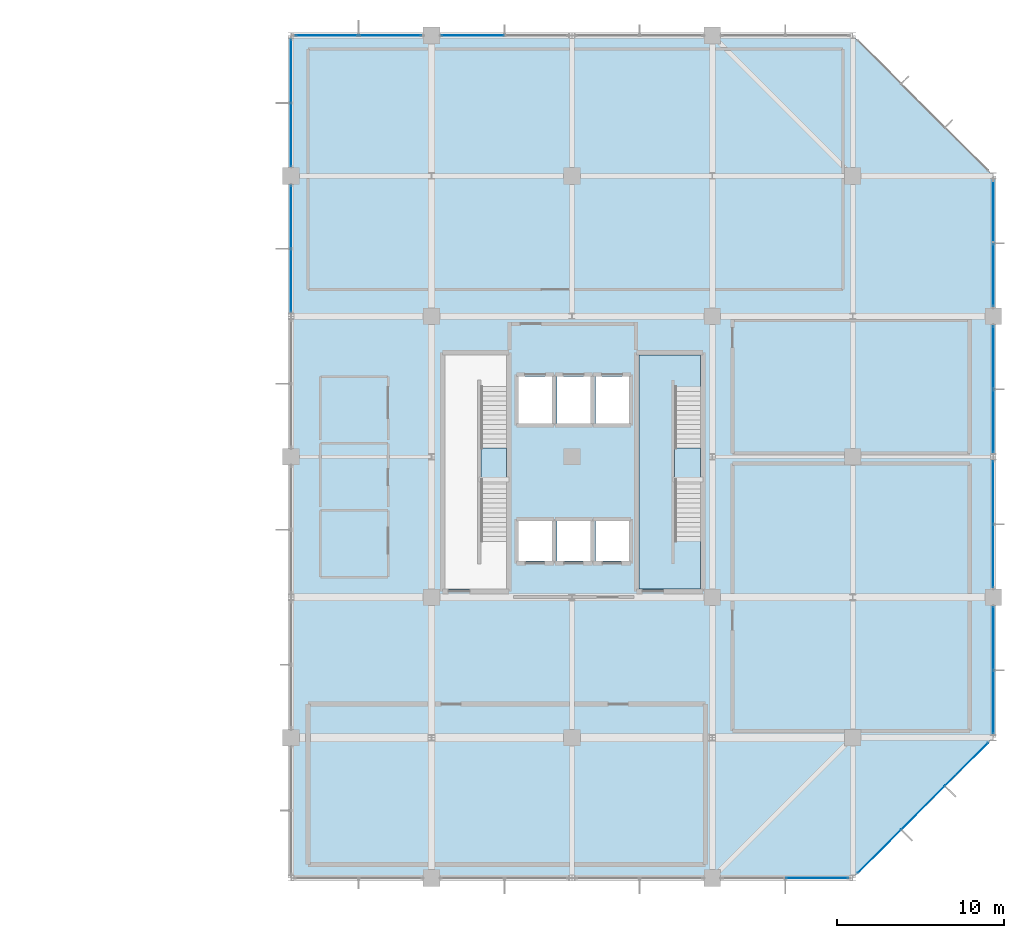
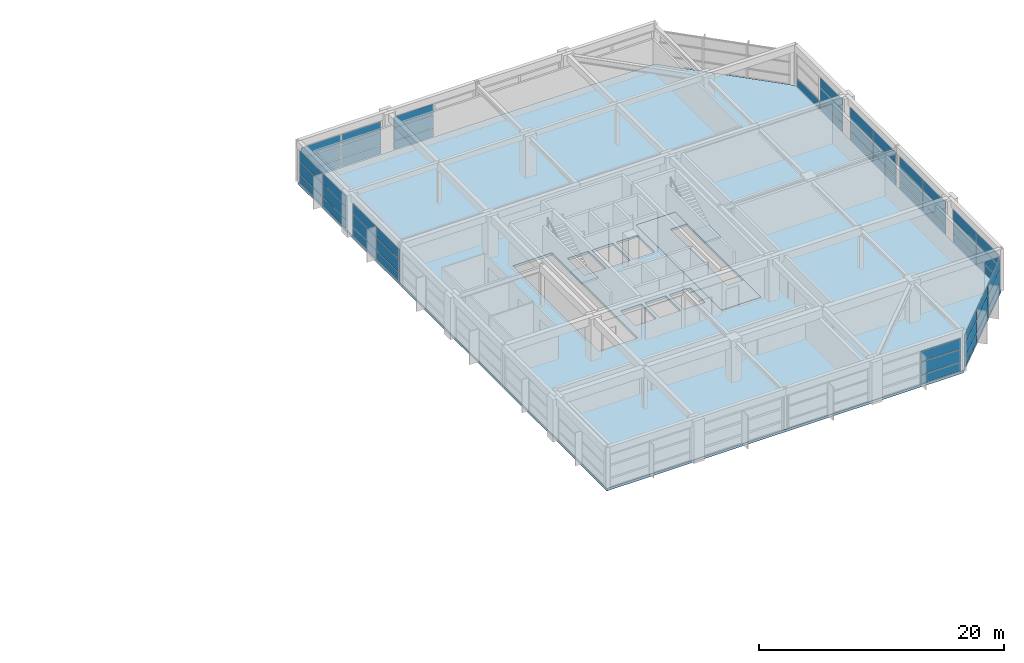
# One storey, part 27 of 32: 55 plates, 4 slabs, 12 elements without a shape of their own.
"""IFC4 building model written with IfcOpenShell, lengths in metres."""

from ifc_helpers import new_model, si_unit, direction, frame, origin, origin_2d, place, context, subcontext, project, spatial, polyline, rectangle, outline, extrude, material, layer, layer_set, type_object, element, aggregate, save


model = new_model("IFC4")

# Units and contexts
model_context = context("Model", 3, precision=1e-05, world=origin(), true_north=direction((0.0, 1.0)))
body_context = subcontext(model_context, "Body", "Model", "MODEL_VIEW")
ifc_project = project(units=[si_unit("LENGTHUNIT", "METRE"), si_unit("AREAUNIT", "SQUARE_METRE"), si_unit("VOLUMEUNIT", "CUBIC_METRE"), si_unit("PLANEANGLEUNIT", "RADIAN"), si_unit("MASSUNIT", "GRAM", prefix="KILO")], contexts=[model_context])

# Site, building, storey
site_placement = place(None, origin())
site = spatial("IfcSite", under=ifc_project, at=site_placement, CompositionType="ELEMENT")
building_placement = place(site_placement, origin())
building = spatial("IfcBuilding", under=site, at=building_placement, Name="Xuanlan Plaza Opera House", CompositionType="ELEMENT")
storey_placement = place(building_placement, frame((0.0, 0.0, 40.5)))
storey = spatial("IfcBuildingStorey", under=building, at=storey_placement, Name="L09", CompositionType="ELEMENT", Elevation=40.5)

# Curtain wall, plates
ifc_material_1 = material(Name="Anodised Aluminium 6063-T6 and Low-E Glass", Category="aluminium")
curtain_wall_type_1 = type_object("IfcCurtainWallType", Name="ENV-CW-CW-04", PredefinedType="USERDEFINED", material=ifc_material_1)
curtain_wall_1_placement = place(storey_placement, origin())
curtain_wall_1 = element("IfcCurtainWall", 1, at=curtain_wall_1_placement, inside=storey, type_object=curtain_wall_type_1, Name="Unitised Curtain Wall L09-005", ObjectType="UNITISED CURTAIN WALL", PredefinedType="USERDEFINED")
ifc_material_2 = material(Name="Laminated Acoustic Double Glazing", Category="glass")
ifc_layer_1 = layer(ifc_material_2, 0.028076171875)
ifc_layer_set_1 = layer_set([ifc_layer_1], Name="Laminated Acoustic Double Glazing")
plate_type_1 = type_object("IfcPlateType", Name="ENV-CWP-01", PredefinedType="CURTAIN_PANEL", material=ifc_layer_set_1)
plate_1_placement = place(storey_placement, frame((161.194091796875, 35.194091796875, 0.06494140625), z_axis=(0.0, 0.0, 1.0), x_axis=(0.707106781187, 0.707106781187, 0.0)))
plate_1 = element("IfcPlate", 2, at=plate_1_placement, type_object=plate_type_1, Name="CW-04 panel 1.1", PredefinedType="CURTAIN_PANEL", context=body_context, shape_type="SweptSolid", body=[
    extrude(rectangle(XDim=3.60400390625, YDim=0.028076171875, at=origin_2d()), origin(), (0.0, 0.0, 1.0), 0.8525390625),
])
plate_2_placement = place(storey_placement, frame((161.194091796875, 35.194091796875, 0.982421875), z_axis=(0.0, 0.0, 1.0), x_axis=(0.707106781187, 0.707106781187, 0.0)))
plate_2 = element("IfcPlate", 3, at=plate_2_placement, type_object=plate_type_1, Name="CW-04 panel 1.2", PredefinedType="CURTAIN_PANEL", context=body_context, shape_type="SweptSolid", body=[
    extrude(rectangle(XDim=3.60400390625, YDim=0.028076171875, at=origin_2d()), origin(), (0.0, 0.0, 1.0), 1.235107421875),
])
plate_3_placement = place(storey_placement, frame((161.194091796875, 35.194091796875, 2.28271484375), z_axis=(0.0, 0.0, 1.0), x_axis=(0.707106781187, 0.707106781187, 0.0)))
plate_3 = element("IfcPlate", 4, at=plate_3_placement, type_object=plate_type_1, Name="CW-04 panel 1.3", PredefinedType="CURTAIN_PANEL", context=body_context, shape_type="SweptSolid", body=[
    extrude(rectangle(XDim=3.60400390625, YDim=0.028076171875, at=origin_2d()), origin(), (0.0, 0.0, 1.0), 1.032470703125),
])
plate_4_placement = place(storey_placement, frame((163.800048828125, 37.800048828125, 0.06494140625), z_axis=(0.0, 0.0, 1.0), x_axis=(0.707106781187, 0.707106781187, 0.0)))
plate_4 = element("IfcPlate", 5, at=plate_4_placement, type_object=plate_type_1, Name="CW-04 panel 2.1", PredefinedType="CURTAIN_PANEL", context=body_context, shape_type="SweptSolid", body=[
    extrude(rectangle(XDim=3.636474609375, YDim=0.028076171875, at=origin_2d()), origin(), (0.0, 0.0, 1.0), 0.8525390625),
])
plate_5_placement = place(storey_placement, frame((163.800048828125, 37.800048828125, 0.982421875), z_axis=(0.0, 0.0, 1.0), x_axis=(0.707106781187, 0.707106781187, 0.0)))
plate_5 = element("IfcPlate", 6, at=plate_5_placement, type_object=plate_type_1, Name="CW-04 panel 2.2", PredefinedType="CURTAIN_PANEL", context=body_context, shape_type="SweptSolid", body=[
    extrude(rectangle(XDim=3.636474609375, YDim=0.028076171875, at=origin_2d()), origin(), (0.0, 0.0, 1.0), 1.235107421875),
])
plate_6_placement = place(storey_placement, frame((163.800048828125, 37.800048828125, 2.28271484375), z_axis=(0.0, 0.0, 1.0), x_axis=(0.707106781187, 0.707106781187, 0.0)))
plate_6 = element("IfcPlate", 7, at=plate_6_placement, type_object=plate_type_1, Name="CW-04 panel 2.3", PredefinedType="CURTAIN_PANEL", context=body_context, shape_type="SweptSolid", body=[
    extrude(rectangle(XDim=3.636474609375, YDim=0.028076171875, at=origin_2d()), origin(), (0.0, 0.0, 1.0), 1.032470703125),
])
plate_7_placement = place(storey_placement, frame((166.40576171875, 40.40576171875, 0.06494140625), z_axis=(0.0, 0.0, 1.0), x_axis=(0.707106781187, 0.707106781187, 0.0)))
plate_7 = element("IfcPlate", 8, at=plate_7_placement, type_object=plate_type_1, Name="CW-04 panel 3.1", PredefinedType="CURTAIN_PANEL", context=body_context, shape_type="SweptSolid", body=[
    extrude(rectangle(XDim=3.60400390625, YDim=0.028076171875, at=origin_2d()), origin(), (0.0, 0.0, 1.0), 0.8525390625),
])
plate_8_placement = place(storey_placement, frame((166.40576171875, 40.40576171875, 0.982421875), z_axis=(0.0, 0.0, 1.0), x_axis=(0.707106781187, 0.707106781187, 0.0)))
plate_8 = element("IfcPlate", 9, at=plate_8_placement, type_object=plate_type_1, Name="CW-04 panel 3.2", PredefinedType="CURTAIN_PANEL", context=body_context, shape_type="SweptSolid", body=[
    extrude(rectangle(XDim=3.60400390625, YDim=0.028076171875, at=origin_2d()), origin(), (0.0, 0.0, 1.0), 1.235107421875),
])
plate_9_placement = place(storey_placement, frame((166.40576171875, 40.40576171875, 2.28271484375), z_axis=(0.0, 0.0, 1.0), x_axis=(0.707106781187, 0.707106781187, 0.0)))
plate_9 = element("IfcPlate", 10, at=plate_9_placement, type_object=plate_type_1, Name="CW-04 panel 3.3", PredefinedType="CURTAIN_PANEL", context=body_context, shape_type="SweptSolid", body=[
    extrude(rectangle(XDim=3.60400390625, YDim=0.028076171875, at=origin_2d()), origin(), (0.0, 0.0, 1.0), 1.032470703125),
])
aggregate(curtain_wall_1, [plate_1, plate_2, plate_3, plate_4, plate_5, plate_6, plate_7, plate_8, plate_9])

curtain_wall_type_2 = type_object("IfcCurtainWallType", Name="ENV-CW-CW-02", PredefinedType="USERDEFINED", material=ifc_material_1)
curtain_wall_2_placement = place(storey_placement, origin())
curtain_wall_2 = element("IfcCurtainWall", 11, at=curtain_wall_2_placement, inside=storey, type_object=curtain_wall_type_2, Name="Unitised Curtain Wall L09-015", ObjectType="UNITISED CURTAIN WALL", PredefinedType="USERDEFINED")
plate_10_placement = place(storey_placement, frame((126.0, 81.867431640625, 0.06494140625), z_axis=(0.0, 0.0, 1.0), x_axis=(0.0, -1.0, 0.0)))
plate_10 = element("IfcPlate", 12, at=plate_10_placement, type_object=plate_type_1, Name="CW-02 panel 1.1", PredefinedType="CURTAIN_PANEL", context=body_context, shape_type="SweptSolid", body=[
    extrude(rectangle(XDim=3.7451171875, YDim=0.028076171875, at=origin_2d()), origin(), (0.0, 0.0, 1.0), 0.8525390625),
])
plate_11_placement = place(storey_placement, frame((126.0, 81.867431640625, 0.982421875), z_axis=(0.0, 0.0, 1.0), x_axis=(0.0, -1.0, 0.0)))
plate_11 = element("IfcPlate", 13, at=plate_11_placement, type_object=plate_type_1, Name="CW-02 panel 1.2", PredefinedType="CURTAIN_PANEL", context=body_context, shape_type="SweptSolid", body=[
    extrude(rectangle(XDim=3.7451171875, YDim=0.028076171875, at=origin_2d()), origin(), (0.0, 0.0, 1.0), 1.235107421875),
])
plate_12_placement = place(storey_placement, frame((126.0, 81.867431640625, 2.28271484375), z_axis=(0.0, 0.0, 1.0), x_axis=(0.0, -1.0, 0.0)))
plate_12 = element("IfcPlate", 14, at=plate_12_placement, type_object=plate_type_1, Name="CW-02 panel 1.3", PredefinedType="CURTAIN_PANEL", context=body_context, shape_type="SweptSolid", body=[
    extrude(rectangle(XDim=3.7451171875, YDim=0.028076171875, at=origin_2d()), origin(), (0.0, 0.0, 1.0), 1.032470703125),
])
plate_13_placement = place(storey_placement, frame((126.0, 78.0576171875, 0.06494140625), z_axis=(0.0, 0.0, 1.0), x_axis=(0.0, -1.0, 0.0)))
plate_13 = element("IfcPlate", 15, at=plate_13_placement, type_object=plate_type_1, Name="CW-02 panel 2.1", PredefinedType="CURTAIN_PANEL", context=body_context, shape_type="SweptSolid", body=[
    extrude(rectangle(XDim=3.7451171875, YDim=0.028076171875, at=origin_2d()), origin(), (0.0, 0.0, 1.0), 0.8525390625),
])
plate_14_placement = place(storey_placement, frame((126.0, 78.0576171875, 0.982421875), z_axis=(0.0, 0.0, 1.0), x_axis=(0.0, -1.0, 0.0)))
plate_14 = element("IfcPlate", 16, at=plate_14_placement, type_object=plate_type_1, Name="CW-02 panel 2.2", PredefinedType="CURTAIN_PANEL", context=body_context, shape_type="SweptSolid", body=[
    extrude(rectangle(XDim=3.7451171875, YDim=0.028076171875, at=origin_2d()), origin(), (0.0, 0.0, 1.0), 1.235107421875),
])
plate_15_placement = place(storey_placement, frame((126.0, 78.0576171875, 2.28271484375), z_axis=(0.0, 0.0, 1.0), x_axis=(0.0, -1.0, 0.0)))
plate_15 = element("IfcPlate", 17, at=plate_15_placement, type_object=plate_type_1, Name="CW-02 panel 2.3", PredefinedType="CURTAIN_PANEL", context=body_context, shape_type="SweptSolid", body=[
    extrude(rectangle(XDim=3.7451171875, YDim=0.028076171875, at=origin_2d()), origin(), (0.0, 0.0, 1.0), 1.032470703125),
])
aggregate(curtain_wall_2, [plate_10, plate_11, plate_12, plate_13, plate_14, plate_15])

curtain_wall_3_placement = place(storey_placement, origin())
curtain_wall_3 = element("IfcCurtainWall", 18, at=curtain_wall_3_placement, inside=storey, type_object=curtain_wall_type_2, Name="Unitised Curtain Wall L09-007", ObjectType="UNITISED CURTAIN WALL", PredefinedType="USERDEFINED")
ifc_layer_2 = layer(ifc_material_2, 0.031982421875)
ifc_layer_set_2 = layer_set([ifc_layer_2], Name="Laminated Acoustic Double Glazing")
plate_type_2 = type_object("IfcPlateType", Name="ENV-CWP-02", PredefinedType="CURTAIN_PANEL", material=ifc_layer_set_2)
plate_16_placement = place(storey_placement, frame((168.0, 52.860107421875, 0.090087890625), z_axis=(0.0, 0.0, 1.0), x_axis=(0.0, 1.0, 0.0)))
plate_16 = element("IfcPlate", 19, at=plate_16_placement, type_object=plate_type_2, Name="CW-02 panel 1.1", PredefinedType="CURTAIN_PANEL", context=body_context, shape_type="SweptSolid", body=[
    extrude(rectangle(XDim=3.72998046875, YDim=0.031982421875, at=origin_2d()), origin(), (0.0, 0.0, 1.0), 0.81494140625),
])
plate_17_placement = place(storey_placement, frame((168.0, 52.860107421875, 0.9951171875), z_axis=(0.0, 0.0, 1.0), x_axis=(0.0, 1.0, 0.0)))
plate_17 = element("IfcPlate", 20, at=plate_17_placement, type_object=plate_type_2, Name="CW-02 panel 1.2", PredefinedType="CURTAIN_PANEL", context=body_context, shape_type="SweptSolid", body=[
    extrude(rectangle(XDim=3.72998046875, YDim=0.031982421875, at=origin_2d()), origin(), (0.0, 0.0, 1.0), 1.2099609375),
])
plate_18_placement = place(storey_placement, frame((168.0, 52.860107421875, 2.294921875), z_axis=(0.0, 0.0, 1.0), x_axis=(0.0, 1.0, 0.0)))
plate_18 = element("IfcPlate", 21, at=plate_18_placement, type_object=plate_type_2, Name="CW-02 panel 1.3", PredefinedType="CURTAIN_PANEL", context=body_context, shape_type="SweptSolid", body=[
    extrude(rectangle(XDim=3.72998046875, YDim=0.031982421875, at=origin_2d()), origin(), (0.0, 0.0, 1.0), 0.9951171875),
])
plate_19_placement = place(storey_placement, frame((168.0, 56.6650390625, 0.090087890625), z_axis=(0.0, 0.0, 1.0), x_axis=(0.0, 1.0, 0.0)))
plate_19 = element("IfcPlate", 22, at=plate_19_placement, type_object=plate_type_2, Name="CW-02 panel 2.1", PredefinedType="CURTAIN_PANEL", context=body_context, shape_type="SweptSolid", body=[
    extrude(rectangle(XDim=3.72998046875, YDim=0.031982421875, at=origin_2d()), origin(), (0.0, 0.0, 1.0), 0.81494140625),
])
plate_20_placement = place(storey_placement, frame((168.0, 56.6650390625, 0.9951171875), z_axis=(0.0, 0.0, 1.0), x_axis=(0.0, 1.0, 0.0)))
plate_20 = element("IfcPlate", 23, at=plate_20_placement, type_object=plate_type_2, Name="CW-02 panel 2.2", PredefinedType="CURTAIN_PANEL", context=body_context, shape_type="SweptSolid", body=[
    extrude(rectangle(XDim=3.72998046875, YDim=0.031982421875, at=origin_2d()), origin(), (0.0, 0.0, 1.0), 1.2099609375),
])
plate_21_placement = place(storey_placement, frame((168.0, 56.6650390625, 2.294921875), z_axis=(0.0, 0.0, 1.0), x_axis=(0.0, 1.0, 0.0)))
plate_21 = element("IfcPlate", 24, at=plate_21_placement, type_object=plate_type_2, Name="CW-02 panel 2.3", PredefinedType="CURTAIN_PANEL", context=body_context, shape_type="SweptSolid", body=[
    extrude(rectangle(XDim=3.72998046875, YDim=0.031982421875, at=origin_2d()), origin(), (0.0, 0.0, 1.0), 0.9951171875),
])
aggregate(curtain_wall_3, [plate_16, plate_17, plate_18, plate_19, plate_20, plate_21])

curtain_wall_type_3 = type_object("IfcCurtainWallType", Name="ENV-CW-CW-03", PredefinedType="USERDEFINED", material=ifc_material_1)
curtain_wall_4_placement = place(storey_placement, origin())
curtain_wall_4 = element("IfcCurtainWall", 25, at=curtain_wall_4_placement, inside=storey, type_object=curtain_wall_type_3, Name="Unitised Curtain Wall L09-004", ObjectType="UNITISED CURTAIN WALL", PredefinedType="USERDEFINED")
ifc_layer_3 = layer(ifc_material_2, 0.035888671875)
ifc_layer_set_3 = layer_set([ifc_layer_3], Name="Laminated Acoustic Double Glazing")
plate_type_3 = type_object("IfcPlateType", Name="ENV-CWP-03", PredefinedType="CURTAIN_PANEL", material=ifc_layer_set_3)
plate_22_placement = place(storey_placement, frame((157.461181640625, 33.60009765625, 0.080078125), z_axis=(0.0, 0.0, 1.0), x_axis=(1.0, 0.0, 0.0)))
plate_22 = element("IfcPlate", 26, at=plate_22_placement, type_object=plate_type_3, Name="CW-03 panel 2.1", PredefinedType="CURTAIN_PANEL", context=body_context, shape_type="SweptSolid", body=[
    extrude(rectangle(XDim=3.70751953125, YDim=0.035888671875, at=origin_2d()), origin(), (0.0, 0.0, 1.0), 0.830078125),
])
plate_23_placement = place(storey_placement, frame((157.461181640625, 33.60009765625, 0.990234375), z_axis=(0.0, 0.0, 1.0), x_axis=(1.0, 0.0, 0.0)))
plate_23 = element("IfcPlate", 27, at=plate_23_placement, type_object=plate_type_3, Name="CW-03 panel 2.2", PredefinedType="CURTAIN_PANEL", context=body_context, shape_type="SweptSolid", body=[
    extrude(rectangle(XDim=3.70751953125, YDim=0.035888671875, at=origin_2d()), origin(), (0.0, 0.0, 1.0), 1.219970703125),
])
plate_24_placement = place(storey_placement, frame((157.461181640625, 33.60009765625, 2.2900390625), z_axis=(0.0, 0.0, 1.0), x_axis=(1.0, 0.0, 0.0)))
plate_24 = element("IfcPlate", 28, at=plate_24_placement, type_object=plate_type_3, Name="CW-03 panel 2.3", PredefinedType="CURTAIN_PANEL", context=body_context, shape_type="SweptSolid", body=[
    extrude(rectangle(XDim=3.70751953125, YDim=0.035888671875, at=origin_2d()), origin(), (0.0, 0.0, 1.0), 1.010009765625),
])
aggregate(curtain_wall_4, [plate_22, plate_23, plate_24])

curtain_wall_5_placement = place(storey_placement, origin())
curtain_wall_5 = element("IfcCurtainWall", 29, at=curtain_wall_5_placement, inside=storey, type_object=curtain_wall_type_1, Name="Unitised Curtain Wall L09-009", ObjectType="UNITISED CURTAIN WALL", PredefinedType="USERDEFINED")
plate_25_placement = place(storey_placement, frame((168.0, 69.663818359375, 0.080078125), z_axis=(0.0, 0.0, 1.0), x_axis=(0.0, 1.0, 0.0)))
plate_25 = element("IfcPlate", 30, at=plate_25_placement, type_object=plate_type_3, Name="CW-04 panel 1.1", PredefinedType="CURTAIN_PANEL", context=body_context, shape_type="SweptSolid", body=[
    extrude(rectangle(XDim=3.70751953125, YDim=0.035888671875, at=origin_2d()), origin(), (0.0, 0.0, 1.0), 0.830078125),
])
plate_26_placement = place(storey_placement, frame((168.0, 69.663818359375, 0.990234375), z_axis=(0.0, 0.0, 1.0), x_axis=(0.0, 1.0, 0.0)))
plate_26 = element("IfcPlate", 31, at=plate_26_placement, type_object=plate_type_3, Name="CW-04 panel 1.2", PredefinedType="CURTAIN_PANEL", context=body_context, shape_type="SweptSolid", body=[
    extrude(rectangle(XDim=3.70751953125, YDim=0.035888671875, at=origin_2d()), origin(), (0.0, 0.0, 1.0), 1.219970703125),
])
plate_27_placement = place(storey_placement, frame((168.0, 69.663818359375, 2.2900390625), z_axis=(0.0, 0.0, 1.0), x_axis=(0.0, 1.0, 0.0)))
plate_27 = element("IfcPlate", 32, at=plate_27_placement, type_object=plate_type_3, Name="CW-04 panel 1.3", PredefinedType="CURTAIN_PANEL", context=body_context, shape_type="SweptSolid", body=[
    extrude(rectangle(XDim=3.70751953125, YDim=0.035888671875, at=origin_2d()), origin(), (0.0, 0.0, 1.0), 1.010009765625),
])
plate_28_placement = place(storey_placement, frame((168.0, 73.461181640625, 0.080078125), z_axis=(0.0, 0.0, 1.0), x_axis=(0.0, 1.0, 0.0)))
plate_28 = element("IfcPlate", 33, at=plate_28_placement, type_object=plate_type_3, Name="CW-04 panel 2.1", PredefinedType="CURTAIN_PANEL", context=body_context, shape_type="SweptSolid", body=[
    extrude(rectangle(XDim=3.70751953125, YDim=0.035888671875, at=origin_2d()), origin(), (0.0, 0.0, 1.0), 0.830078125),
])
aggregate(curtain_wall_5, [plate_25, plate_26, plate_27, plate_28])

curtain_wall_type_4 = type_object("IfcCurtainWallType", Name="ENV-CW-CW-01", PredefinedType="USERDEFINED", material=ifc_material_1)
curtain_wall_6_placement = place(storey_placement, origin())
curtain_wall_6 = element("IfcCurtainWall", 34, at=curtain_wall_6_placement, inside=storey, type_object=curtain_wall_type_4, Name="Unitised Curtain Wall L09-014", ObjectType="UNITISED CURTAIN WALL", PredefinedType="USERDEFINED")
plate_29_placement = place(storey_placement, frame((131.936279296875, 84.0, 0.080078125), z_axis=(0.0, 0.0, 1.0), x_axis=(-1.0, 0.0, 0.0)))
plate_29 = element("IfcPlate", 35, at=plate_29_placement, type_object=plate_type_3, Name="CW-01 panel 1.1", PredefinedType="CURTAIN_PANEL", context=body_context, shape_type="SweptSolid", body=[
    extrude(rectangle(XDim=3.70751953125, YDim=0.035888671875, at=origin_2d()), origin(), (0.0, 0.0, 1.0), 0.830078125),
])
plate_30_placement = place(storey_placement, frame((131.936279296875, 84.0, 0.990234375), z_axis=(0.0, 0.0, 1.0), x_axis=(-1.0, 0.0, 0.0)))
plate_30 = element("IfcPlate", 36, at=plate_30_placement, type_object=plate_type_3, Name="CW-01 panel 1.2", PredefinedType="CURTAIN_PANEL", context=body_context, shape_type="SweptSolid", body=[
    extrude(rectangle(XDim=3.70751953125, YDim=0.035888671875, at=origin_2d()), origin(), (0.0, 0.0, 1.0), 1.219970703125),
])
plate_31_placement = place(storey_placement, frame((131.936279296875, 84.0, 2.2900390625), z_axis=(0.0, 0.0, 1.0), x_axis=(-1.0, 0.0, 0.0)))
plate_31 = element("IfcPlate", 37, at=plate_31_placement, type_object=plate_type_3, Name="CW-01 panel 1.3", PredefinedType="CURTAIN_PANEL", context=body_context, shape_type="SweptSolid", body=[
    extrude(rectangle(XDim=3.70751953125, YDim=0.035888671875, at=origin_2d()), origin(), (0.0, 0.0, 1.0), 1.010009765625),
])
plate_32_placement = place(storey_placement, frame((128.138671875, 84.0, 0.080078125), z_axis=(0.0, 0.0, 1.0), x_axis=(-1.0, 0.0, 0.0)))
plate_32 = element("IfcPlate", 38, at=plate_32_placement, type_object=plate_type_3, Name="CW-01 panel 2.1", PredefinedType="CURTAIN_PANEL", context=body_context, shape_type="SweptSolid", body=[
    extrude(rectangle(XDim=3.70751953125, YDim=0.035888671875, at=origin_2d()), origin(), (0.0, 0.0, 1.0), 0.830078125),
])
plate_33_placement = place(storey_placement, frame((128.138671875, 84.0, 0.990234375), z_axis=(0.0, 0.0, 1.0), x_axis=(-1.0, 0.0, 0.0)))
plate_33 = element("IfcPlate", 39, at=plate_33_placement, type_object=plate_type_3, Name="CW-01 panel 2.2", PredefinedType="CURTAIN_PANEL", context=body_context, shape_type="SweptSolid", body=[
    extrude(rectangle(XDim=3.70751953125, YDim=0.035888671875, at=origin_2d()), origin(), (0.0, 0.0, 1.0), 1.219970703125),
])
plate_34_placement = place(storey_placement, frame((128.138671875, 84.0, 2.2900390625), z_axis=(0.0, 0.0, 1.0), x_axis=(-1.0, 0.0, 0.0)))
plate_34 = element("IfcPlate", 40, at=plate_34_placement, type_object=plate_type_3, Name="CW-01 panel 2.3", PredefinedType="CURTAIN_PANEL", context=body_context, shape_type="SweptSolid", body=[
    extrude(rectangle(XDim=3.70751953125, YDim=0.035888671875, at=origin_2d()), origin(), (0.0, 0.0, 1.0), 1.010009765625),
])
aggregate(curtain_wall_6, [plate_29, plate_30, plate_31, plate_32, plate_33, plate_34])

curtain_wall_7_placement = place(storey_placement, origin())
curtain_wall_7 = element("IfcCurtainWall", 41, at=curtain_wall_7_placement, inside=storey, type_object=curtain_wall_type_4, Name="Unitised Curtain Wall L09-006", ObjectType="UNITISED CURTAIN WALL", PredefinedType="USERDEFINED")
ifc_layer_4 = layer(ifc_material_2, 0.0400390625)
ifc_layer_set_4 = layer_set([ifc_layer_4], Name="Laminated Acoustic Double Glazing")
plate_type_4 = type_object("IfcPlateType", Name="ENV-CWP-04", PredefinedType="CURTAIN_PANEL", material=ifc_layer_set_4)
plate_35_placement = place(storey_placement, frame((168.0, 44.1337890625, 0.074951171875), z_axis=(0.0, 0.0, 1.0), x_axis=(0.0, 1.0, 0.0)))
plate_35 = element("IfcPlate", 42, at=plate_35_placement, type_object=plate_type_4, Name="CW-01 panel 1.1", PredefinedType="CURTAIN_PANEL", context=body_context, shape_type="SweptSolid", body=[
    extrude(rectangle(XDim=3.737548828125, YDim=0.0400390625, at=origin_2d()), origin(), (0.0, 0.0, 1.0), 0.83740234375),
])
plate_36_placement = place(storey_placement, frame((168.0, 44.1337890625, 0.987548828125), z_axis=(0.0, 0.0, 1.0), x_axis=(0.0, 1.0, 0.0)))
plate_36 = element("IfcPlate", 43, at=plate_36_placement, type_object=plate_type_4, Name="CW-01 panel 1.2", PredefinedType="CURTAIN_PANEL", context=body_context, shape_type="SweptSolid", body=[
    extrude(rectangle(XDim=3.737548828125, YDim=0.0400390625, at=origin_2d()), origin(), (0.0, 0.0, 1.0), 1.22509765625),
])
plate_37_placement = place(storey_placement, frame((168.0, 44.1337890625, 2.287353515625), z_axis=(0.0, 0.0, 1.0), x_axis=(0.0, 1.0, 0.0)))
plate_37 = element("IfcPlate", 44, at=plate_37_placement, type_object=plate_type_4, Name="CW-01 panel 1.3", PredefinedType="CURTAIN_PANEL", context=body_context, shape_type="SweptSolid", body=[
    extrude(rectangle(XDim=3.737548828125, YDim=0.0400390625, at=origin_2d()), origin(), (0.0, 0.0, 1.0), 1.017578125),
])
plate_38_placement = place(storey_placement, frame((168.0, 47.941162109375, 0.074951171875), z_axis=(0.0, 0.0, 1.0), x_axis=(0.0, 1.0, 0.0)))
plate_38 = element("IfcPlate", 45, at=plate_38_placement, type_object=plate_type_4, Name="CW-01 panel 2.1", PredefinedType="CURTAIN_PANEL", context=body_context, shape_type="SweptSolid", body=[
    extrude(rectangle(XDim=3.737548828125, YDim=0.0400390625, at=origin_2d()), origin(), (0.0, 0.0, 1.0), 0.83740234375),
])
plate_39_placement = place(storey_placement, frame((168.0, 47.941162109375, 0.987548828125), z_axis=(0.0, 0.0, 1.0), x_axis=(0.0, 1.0, 0.0)))
plate_39 = element("IfcPlate", 46, at=plate_39_placement, type_object=plate_type_4, Name="CW-01 panel 2.2", PredefinedType="CURTAIN_PANEL", context=body_context, shape_type="SweptSolid", body=[
    extrude(rectangle(XDim=3.737548828125, YDim=0.0400390625, at=origin_2d()), origin(), (0.0, 0.0, 1.0), 1.22509765625),
])
plate_40_placement = place(storey_placement, frame((168.0, 47.941162109375, 2.287353515625), z_axis=(0.0, 0.0, 1.0), x_axis=(0.0, 1.0, 0.0)))
plate_40 = element("IfcPlate", 47, at=plate_40_placement, type_object=plate_type_4, Name="CW-01 panel 2.3", PredefinedType="CURTAIN_PANEL", context=body_context, shape_type="SweptSolid", body=[
    extrude(rectangle(XDim=3.737548828125, YDim=0.0400390625, at=origin_2d()), origin(), (0.0, 0.0, 1.0), 1.017578125),
])
aggregate(curtain_wall_7, [plate_35, plate_36, plate_37, plate_38, plate_39, plate_40])

curtain_wall_8_placement = place(storey_placement, origin())
curtain_wall_8 = element("IfcCurtainWall", 48, at=curtain_wall_8_placement, inside=storey, type_object=curtain_wall_type_3, Name="Unitised Curtain Wall L09-016", ObjectType="UNITISED CURTAIN WALL", PredefinedType="USERDEFINED")
plate_41_placement = place(storey_placement, frame((126.0, 73.141357421875, 0.074951171875), z_axis=(0.0, 0.0, 1.0), x_axis=(0.0, -1.0, 0.0)))
plate_41 = element("IfcPlate", 49, at=plate_41_placement, type_object=plate_type_4, Name="CW-03 panel 1.1", PredefinedType="CURTAIN_PANEL", context=body_context, shape_type="SweptSolid", body=[
    extrude(rectangle(XDim=3.737548828125, YDim=0.0400390625, at=origin_2d()), origin(), (0.0, 0.0, 1.0), 0.83740234375),
])
plate_42_placement = place(storey_placement, frame((126.0, 73.141357421875, 0.987548828125), z_axis=(0.0, 0.0, 1.0), x_axis=(0.0, -1.0, 0.0)))
plate_42 = element("IfcPlate", 50, at=plate_42_placement, type_object=plate_type_4, Name="CW-03 panel 1.2", PredefinedType="CURTAIN_PANEL", context=body_context, shape_type="SweptSolid", body=[
    extrude(rectangle(XDim=3.737548828125, YDim=0.0400390625, at=origin_2d()), origin(), (0.0, 0.0, 1.0), 1.22509765625),
])
plate_43_placement = place(storey_placement, frame((126.0, 73.141357421875, 2.287353515625), z_axis=(0.0, 0.0, 1.0), x_axis=(0.0, -1.0, 0.0)))
plate_43 = element("IfcPlate", 51, at=plate_43_placement, type_object=plate_type_4, Name="CW-03 panel 1.3", PredefinedType="CURTAIN_PANEL", context=body_context, shape_type="SweptSolid", body=[
    extrude(rectangle(XDim=3.737548828125, YDim=0.0400390625, at=origin_2d()), origin(), (0.0, 0.0, 1.0), 1.017578125),
])
plate_44_placement = place(storey_placement, frame((126.0, 69.333740234375, 0.074951171875), z_axis=(0.0, 0.0, 1.0), x_axis=(0.0, -1.0, 0.0)))
plate_44 = element("IfcPlate", 52, at=plate_44_placement, type_object=plate_type_4, Name="CW-03 panel 2.1", PredefinedType="CURTAIN_PANEL", context=body_context, shape_type="SweptSolid", body=[
    extrude(rectangle(XDim=3.737548828125, YDim=0.0400390625, at=origin_2d()), origin(), (0.0, 0.0, 1.0), 0.83740234375),
])
plate_45_placement = place(storey_placement, frame((126.0, 69.333740234375, 0.987548828125), z_axis=(0.0, 0.0, 1.0), x_axis=(0.0, -1.0, 0.0)))
plate_45 = element("IfcPlate", 53, at=plate_45_placement, type_object=plate_type_4, Name="CW-03 panel 2.2", PredefinedType="CURTAIN_PANEL", context=body_context, shape_type="SweptSolid", body=[
    extrude(rectangle(XDim=3.737548828125, YDim=0.0400390625, at=origin_2d()), origin(), (0.0, 0.0, 1.0), 1.22509765625),
])
plate_46_placement = place(storey_placement, frame((126.0, 69.333740234375, 2.287353515625), z_axis=(0.0, 0.0, 1.0), x_axis=(0.0, -1.0, 0.0)))
plate_46 = element("IfcPlate", 54, at=plate_46_placement, type_object=plate_type_4, Name="CW-03 panel 2.3", PredefinedType="CURTAIN_PANEL", context=body_context, shape_type="SweptSolid", body=[
    extrude(rectangle(XDim=3.737548828125, YDim=0.0400390625, at=origin_2d()), origin(), (0.0, 0.0, 1.0), 1.017578125),
])
aggregate(curtain_wall_8, [plate_41, plate_42, plate_43, plate_44, plate_45, plate_46])

curtain_wall_9_placement = place(storey_placement, origin())
curtain_wall_9 = element("IfcCurtainWall", 55, at=curtain_wall_9_placement, inside=storey, type_object=curtain_wall_type_3, Name="Unitised Curtain Wall L09-008", ObjectType="UNITISED CURTAIN WALL", PredefinedType="USERDEFINED")
ifc_layer_5 = layer(ifc_material_2, 0.0439453125)
ifc_layer_set_5 = layer_set([ifc_layer_5], Name="Laminated Acoustic Double Glazing")
plate_type_5 = type_object("IfcPlateType", Name="ENV-CWP-05", PredefinedType="CURTAIN_PANEL", material=ifc_layer_set_5)
plate_47_placement = place(storey_placement, frame((168.0, 60.936279296875, 0.06982421875), z_axis=(0.0, 0.0, 1.0), x_axis=(0.0, 1.0, 0.0)))
plate_47 = element("IfcPlate", 56, at=plate_47_placement, type_object=plate_type_5, Name="CW-03 panel 1.1", PredefinedType="CURTAIN_PANEL", context=body_context, shape_type="SweptSolid", body=[
    extrude(rectangle(XDim=3.722412109375, YDim=0.0439453125, at=origin_2d()), origin(), (0.0, 0.0, 1.0), 0.844970703125),
])
plate_48_placement = place(storey_placement, frame((168.0, 60.936279296875, 0.985107421875), z_axis=(0.0, 0.0, 1.0), x_axis=(0.0, 1.0, 0.0)))
plate_48 = element("IfcPlate", 57, at=plate_48_placement, type_object=plate_type_5, Name="CW-03 panel 1.2", PredefinedType="CURTAIN_PANEL", context=body_context, shape_type="SweptSolid", body=[
    extrude(rectangle(XDim=3.722412109375, YDim=0.0439453125, at=origin_2d()), origin(), (0.0, 0.0, 1.0), 1.22998046875),
])
plate_49_placement = place(storey_placement, frame((168.0, 60.936279296875, 2.28515625), z_axis=(0.0, 0.0, 1.0), x_axis=(0.0, 1.0, 0.0)))
plate_49 = element("IfcPlate", 58, at=plate_49_placement, type_object=plate_type_5, Name="CW-03 panel 1.3", PredefinedType="CURTAIN_PANEL", context=body_context, shape_type="SweptSolid", body=[
    extrude(rectangle(XDim=3.722412109375, YDim=0.0439453125, at=origin_2d()), origin(), (0.0, 0.0, 1.0), 1.02490234375),
])
plate_50_placement = place(storey_placement, frame((168.0, 64.73876953125, 0.06982421875), z_axis=(0.0, 0.0, 1.0), x_axis=(0.0, 1.0, 0.0)))
plate_50 = element("IfcPlate", 59, at=plate_50_placement, type_object=plate_type_5, Name="CW-03 panel 2.1", PredefinedType="CURTAIN_PANEL", context=body_context, shape_type="SweptSolid", body=[
    extrude(rectangle(XDim=3.722412109375, YDim=0.0439453125, at=origin_2d()), origin(), (0.0, 0.0, 1.0), 0.844970703125),
])
plate_51_placement = place(storey_placement, frame((168.0, 64.73876953125, 0.985107421875), z_axis=(0.0, 0.0, 1.0), x_axis=(0.0, 1.0, 0.0)))
plate_51 = element("IfcPlate", 60, at=plate_51_placement, type_object=plate_type_5, Name="CW-03 panel 2.2", PredefinedType="CURTAIN_PANEL", context=body_context, shape_type="SweptSolid", body=[
    extrude(rectangle(XDim=3.722412109375, YDim=0.0439453125, at=origin_2d()), origin(), (0.0, 0.0, 1.0), 1.22998046875),
])
plate_52_placement = place(storey_placement, frame((168.0, 64.73876953125, 2.28515625), z_axis=(0.0, 0.0, 1.0), x_axis=(0.0, 1.0, 0.0)))
plate_52 = element("IfcPlate", 61, at=plate_52_placement, type_object=plate_type_5, Name="CW-03 panel 2.3", PredefinedType="CURTAIN_PANEL", context=body_context, shape_type="SweptSolid", body=[
    extrude(rectangle(XDim=3.722412109375, YDim=0.0439453125, at=origin_2d()), origin(), (0.0, 0.0, 1.0), 1.02490234375),
])
aggregate(curtain_wall_9, [plate_47, plate_48, plate_49, plate_50, plate_51, plate_52])

curtain_wall_10_placement = place(storey_placement, origin())
curtain_wall_10 = element("IfcCurtainWall", 62, at=curtain_wall_10_placement, inside=storey, type_object=curtain_wall_type_1, Name="Unitised Curtain Wall L09-013", ObjectType="UNITISED CURTAIN WALL", PredefinedType="USERDEFINED")
plate_53_placement = place(storey_placement, frame((136.861328125, 84.0, 0.06982421875), z_axis=(0.0, 0.0, 1.0), x_axis=(-1.0, 0.0, 0.0)))
plate_53 = element("IfcPlate", 63, at=plate_53_placement, type_object=plate_type_5, Name="CW-04 panel 2.1", PredefinedType="CURTAIN_PANEL", context=body_context, shape_type="SweptSolid", body=[
    extrude(rectangle(XDim=3.722412109375, YDim=0.0439453125, at=origin_2d()), origin(), (0.0, 0.0, 1.0), 0.844970703125),
])
plate_54_placement = place(storey_placement, frame((136.861328125, 84.0, 0.985107421875), z_axis=(0.0, 0.0, 1.0), x_axis=(-1.0, 0.0, 0.0)))
plate_54 = element("IfcPlate", 64, at=plate_54_placement, type_object=plate_type_5, Name="CW-04 panel 2.2", PredefinedType="CURTAIN_PANEL", context=body_context, shape_type="SweptSolid", body=[
    extrude(rectangle(XDim=3.722412109375, YDim=0.0439453125, at=origin_2d()), origin(), (0.0, 0.0, 1.0), 1.22998046875),
])
plate_55_placement = place(storey_placement, frame((136.861328125, 84.0, 2.28515625), z_axis=(0.0, 0.0, 1.0), x_axis=(-1.0, 0.0, 0.0)))
plate_55 = element("IfcPlate", 65, at=plate_55_placement, type_object=plate_type_5, Name="CW-04 panel 2.3", PredefinedType="CURTAIN_PANEL", context=body_context, shape_type="SweptSolid", body=[
    extrude(rectangle(XDim=3.722412109375, YDim=0.0439453125, at=origin_2d()), origin(), (0.0, 0.0, 1.0), 1.02490234375),
])
aggregate(curtain_wall_10, [plate_53, plate_54, plate_55])

# Stair, slab
ifc_material_3 = material(Name="Concrete C40", Category="concrete")
stair_type = type_object("IfcStairType", Name="INT-ST-STR-T155", PredefinedType="STRAIGHT_RUN_STAIR", material=ifc_material_3)
stair_1_placement = place(storey_placement, origin())
stair_1 = element("IfcStair", 66, at=stair_1_placement, inside=storey, type_object=stair_type, Name="Protected Exit Stair ST-T1 L09", PredefinedType="STRAIGHT_RUN_STAIR")
ifc_layer_6 = layer(ifc_material_3, 0.199951171875)
ifc_layer_set_6 = layer_set([ifc_layer_6], Name="Concrete C40")
slab_type_1 = type_object("IfcSlabType", Name="INT-SLB-LND-20", PredefinedType="LANDING", material=ifc_layer_set_6)
slab_1_placement = place(storey_placement, frame((0.0, 0.0, 1.89990234375)))
slab_1 = element("IfcSlab", 67, at=slab_1_placement, type_object=slab_type_1, Name="ST-T1-L09 landing 1", PredefinedType="LANDING", context=body_context, shape_type="SweptSolid", body=[
    extrude(outline(polyline([(137.35009765625, 57.419921875), (138.89990234375, 57.419921875), (138.89990234375, 59.320068359375), (137.35009765625, 59.320068359375), (137.35009765625, 57.419921875)])), origin(), (0.0, 0.0, 1.0), 0.2001953125),
])
aggregate(stair_1, [slab_1])

# Stair, slabs
stair_2_placement = place(storey_placement, origin())
stair_2 = element("IfcStair", 68, at=stair_2_placement, inside=storey, type_object=stair_type, Name="Protected Exit Stair ST-T2 L09", PredefinedType="STRAIGHT_RUN_STAIR")
slab_2_placement = place(storey_placement, frame((0.0, 0.0, 1.89990234375)))
slab_2 = element("IfcSlab", 69, at=slab_2_placement, type_object=slab_type_1, Name="ST-T2-L09 landing 1", PredefinedType="LANDING", context=body_context, shape_type="SweptSolid", body=[
    extrude(outline(polyline([(148.949951171875, 57.419921875), (150.5, 57.419921875), (150.5, 59.320068359375), (148.949951171875, 59.320068359375), (148.949951171875, 57.419921875)])), origin(), (0.0, 0.0, 1.0), 0.2001953125),
])
slab_3_placement = place(storey_placement, frame((0.0, 0.0, -0.199951171875)))
slab_3 = element("IfcSlab", 70, at=slab_3_placement, type_object=slab_type_1, Name="ST-T2-L09 landing 2", PredefinedType="LANDING", context=body_context, shape_type="SweptSolid", body=[
    extrude(outline(polyline([(146.800048828125, 50.89990234375), (150.5, 50.89990234375), (150.5, 53.764892578125), (148.949951171875, 53.764892578125), (148.949951171875, 62.97509765625), (150.5, 62.97509765625), (150.5, 64.89990234375), (146.800048828125, 64.89990234375), (146.800048828125, 50.89990234375)])), origin(), (0.0, 0.0, 1.0), 0.199951171875),
])
aggregate(stair_2, [slab_2, slab_3])

# Slab
ifc_layer_7 = layer(ifc_material_3, 0.239990234375)
ifc_layer_set_7 = layer_set([ifc_layer_7], Name="Concrete C40")
slab_type_2 = type_object("IfcSlabType", Name="STR-SLB-SL-03", PredefinedType="FLOOR", material=ifc_layer_set_7)
slab_4_placement = place(storey_placement, frame((0.0, 0.0, -0.239990234375)))
element("IfcSlab", 71, at=slab_4_placement, inside=storey, type_object=slab_type_2, Name="Storey L09 Structural Floor Slab", PredefinedType="FLOOR", context=body_context, shape_type="SweptSolid", body=[
    extrude(outline(polyline([(126.0, 33.60009765625), (159.60009765625, 33.60009765625), (168.0, 42.0), (168.0, 75.60009765625), (159.60009765625, 84.0), (126.0, 84.0), (126.0, 33.60009765625)]), holes=[polyline([(135.199951171875, 50.89990234375), (138.89990234375, 50.89990234375), (138.89990234375, 64.89990234375), (135.199951171875, 64.89990234375), (135.199951171875, 50.89990234375)]), polyline([(146.800048828125, 50.89990234375), (150.5, 50.89990234375), (150.5, 64.89990234375), (146.800048828125, 64.89990234375), (146.800048828125, 50.89990234375)]), polyline([(139.60009765625, 60.800048828125), (141.60009765625, 60.800048828125), (141.60009765625, 63.60009765625), (139.60009765625, 63.60009765625), (139.60009765625, 60.800048828125)]), polyline([(141.89990234375, 60.800048828125), (143.89990234375, 60.800048828125), (143.89990234375, 63.60009765625), (141.89990234375, 63.60009765625), (141.89990234375, 60.800048828125)]), polyline([(144.199951171875, 60.800048828125), (146.199951171875, 60.800048828125), (146.199951171875, 63.60009765625), (144.199951171875, 63.60009765625), (144.199951171875, 60.800048828125)]), polyline([(139.60009765625, 52.550048828125), (141.60009765625, 52.550048828125), (141.60009765625, 54.949951171875), (139.60009765625, 54.949951171875), (139.60009765625, 52.550048828125)]), polyline([(141.89990234375, 52.550048828125), (143.89990234375, 52.550048828125), (143.89990234375, 54.949951171875), (141.89990234375, 54.949951171875), (141.89990234375, 52.550048828125)]), polyline([(144.199951171875, 52.550048828125), (146.199951171875, 52.550048828125), (146.199951171875, 54.949951171875), (144.199951171875, 54.949951171875), (144.199951171875, 52.550048828125)])]), origin(), (0.0, 0.0, 1.0), 0.239990234375),
])

save(model, "model.ifc")
